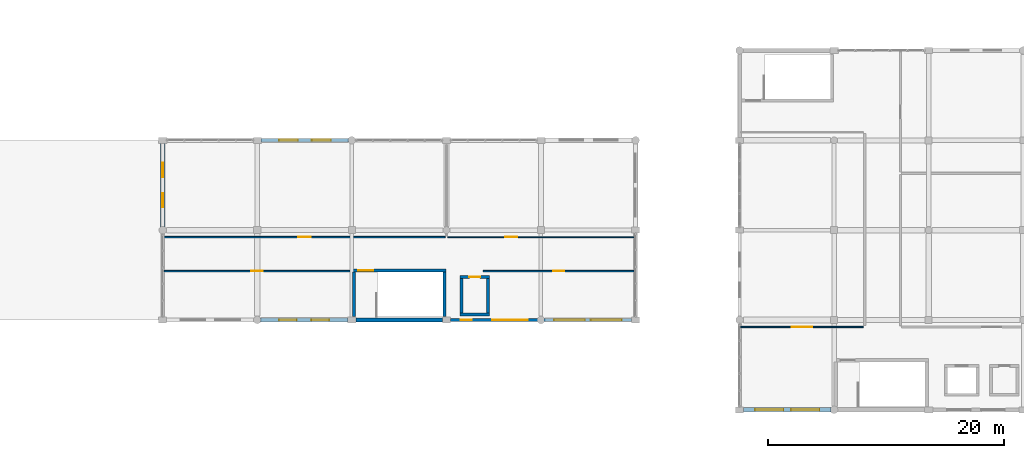
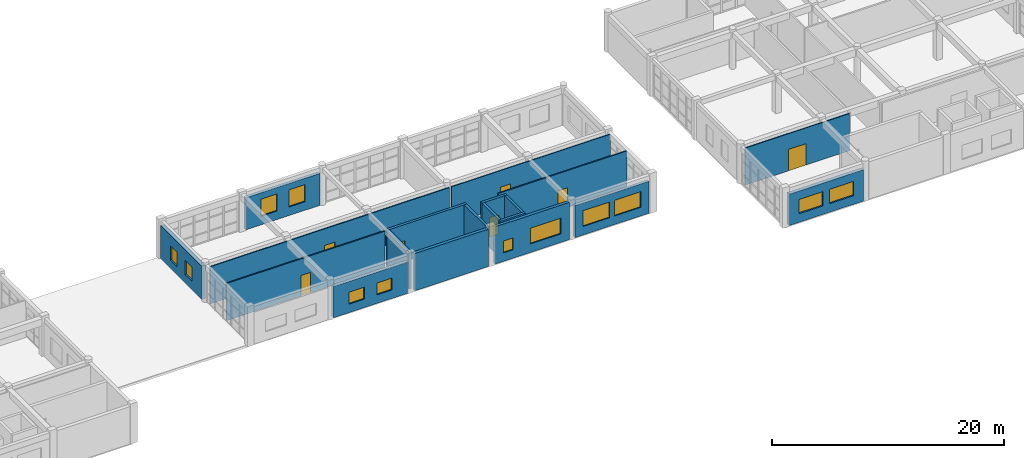
# One storey, part 104 of 121: 19 walls, 12 windows, 7 doors, 19 openings.
"""IFC4 building model written with IfcOpenShell, lengths in metres."""

from ifc_helpers import new_model, si_unit, direction, frame, frame_2d, origin, place, context, subcontext, project, spatial, rectangle, extrude, material, layer, layer_set, type_object, element, fill, save


model = new_model("IFC4")

# Units and contexts
model_context = context("Model", 3, precision=1e-05, world=origin(), true_north=direction((0.0, 1.0)))
body_context = subcontext(model_context, "Body", "Model", "MODEL_VIEW")
ifc_project = project(units=[si_unit("LENGTHUNIT", "METRE"), si_unit("AREAUNIT", "SQUARE_METRE"), si_unit("VOLUMEUNIT", "CUBIC_METRE"), si_unit("PLANEANGLEUNIT", "RADIAN"), si_unit("MASSUNIT", "GRAM", prefix="KILO")], contexts=[model_context])

# Site, building, storey
site_placement = place(None, origin())
site = spatial("IfcSite", under=ifc_project, at=site_placement, CompositionType="ELEMENT")
building_placement = place(site_placement, origin())
building = spatial("IfcBuilding", under=site, at=building_placement, Name="Kharva Crest Polytechnic", CompositionType="ELEMENT")
storey_placement = place(building_placement, frame((0.0, 0.0, 13.199951171875)))
storey = spatial("IfcBuildingStorey", under=building, at=storey_placement, Name="L03", CompositionType="ELEMENT", Elevation=13.199951171875)

# Wall, openings, windows
ifc_material_1 = material(Name="Kiln brick masonry", Category="masonry")
ifc_layer_1 = layer(ifc_material_1, 0.27490234375, Name="Kiln brick masonry")
ifc_layer_set_1 = layer_set([ifc_layer_1], Name="Kiln brick masonry")
wall_type_1 = type_object("IfcWallType", Name="WL-EXT-BRK-275", PredefinedType="SOLIDWALL", material=ifc_layer_set_1)
wall_1_placement = place(storey_placement, frame((104.268798828125, 7.60009765625, 0.0), z_axis=(0.0, 0.0, 1.0), x_axis=(1.0, 0.0, 0.0)))
wall_1 = element("IfcWall", 1, at=wall_1_placement, inside=storey, type_object=wall_type_1, Name="L03 Exterior Brick Wall 318", PredefinedType="SOLIDWALL", context=body_context, shape_type="SweptSolid", body=[
    extrude(rectangle(XDim=7.38623046875, YDim=0.27490234375, at=frame_2d((3.693115234375, 0.0))), origin(), (0.0, 0.0, 1.0), 3.360107421875),
])
opening_1_placement = place(wall_1_placement, frame((0.8349609375, 0.0, 0.89990234375)))
opening_1 = element("IfcOpeningElement", 2, at=opening_1_placement, cuts=wall_1, Name="Opening W24", PredefinedType="OPENING", context=body_context, shape_type="SweptSolid", body=[
    extrude(rectangle(XDim=2.60009765625, YDim=1.64990234375, at=frame_2d((1.300048828125, 0.824951171875))), frame((0.0, 0.1474609375, 0.0), z_axis=(0.0, -1.0, 0.0), x_axis=(1.0, 0.0, 0.0)), (0.0, 0.0, 1.0), 0.294921875),
])
opening_2_placement = place(wall_1_placement, frame((3.950927734375, 0.0, 0.89990234375)))
opening_2 = element("IfcOpeningElement", 3, at=opening_2_placement, cuts=wall_1, Name="Opening W24", PredefinedType="OPENING", context=body_context, shape_type="SweptSolid", body=[
    extrude(rectangle(XDim=2.60009765625, YDim=1.64990234375, at=frame_2d((1.300048828125, 0.824951171875))), frame((0.0, 0.1474609375, 0.0), z_axis=(0.0, -1.0, 0.0), x_axis=(1.0, 0.0, 0.0)), (0.0, 0.0, 1.0), 0.294921875),
])
ifc_material_2 = material(Name="Anodised aluminium", Category="aluminium")
window_type_1 = type_object("IfcWindowType", Name="WIN-ALU-2600X1650", PartitioningType="SINGLE_PANEL", PredefinedType="WINDOW", material=ifc_material_2)
window_1_placement = place(opening_1_placement, origin())
window_1 = element("IfcWindow", 4, at=window_1_placement, inside=storey, type_object=window_type_1, Name="L03 Exterior Window 428", OverallHeight=1.64990234375, OverallWidth=2.60009765625, PartitioningType="SINGLE_PANEL", PredefinedType="WINDOW", context=body_context, shape_type="SweptSolid", body=[
    extrude(rectangle(XDim=2.60009765625, YDim=1.64990234375, at=frame_2d((1.300048828125, 0.824951171875))), frame((0.0, 0.030029296875, 0.0), z_axis=(0.0, -1.0, 0.0), x_axis=(1.0, 0.0, 0.0)), (0.0, 0.0, 1.0), 0.06005859375),
])
fill(opening_1, window_1)
window_2_placement = place(opening_2_placement, origin())
window_2 = element("IfcWindow", 5, at=window_2_placement, inside=storey, type_object=window_type_1, Name="L03 Exterior Window 429", OverallHeight=1.64990234375, OverallWidth=2.60009765625, PartitioningType="SINGLE_PANEL", PredefinedType="WINDOW", context=body_context, shape_type="SweptSolid", body=[
    extrude(rectangle(XDim=2.60009765625, YDim=1.64990234375, at=frame_2d((1.300048828125, 0.824951171875))), frame((0.0, 0.030029296875, 0.0), z_axis=(0.0, -1.0, 0.0), x_axis=(1.0, 0.0, 0.0)), (0.0, 0.0, 1.0), 0.06005859375),
])
fill(opening_2, window_2)

ifc_layer_2 = layer(ifc_material_1, 0.2900390625, Name="Kiln brick masonry")
ifc_layer_set_2 = layer_set([ifc_layer_2], Name="Kiln brick masonry")
wall_type_2 = type_object("IfcWallType", Name="WL-EXT-BRK-290", PredefinedType="SOLIDWALL", material=ifc_layer_set_2)
wall_2_placement = place(storey_placement, frame((96.3349609375, 7.60009765625, 0.0), z_axis=(0.0, 0.0, 1.0), x_axis=(1.0, 0.0, 0.0)))
wall_2 = element("IfcWall", 6, at=wall_2_placement, inside=storey, type_object=wall_type_2, Name="L03 Exterior Brick Wall 317", PredefinedType="SOLIDWALL", context=body_context, shape_type="SweptSolid", body=[
    extrude(rectangle(XDim=7.396240234375, YDim=0.2900390625, at=frame_2d((3.6982421875, 0.0))), origin(), (0.0, 0.0, 1.0), 3.920166015625),
])
opening_3_placement = place(wall_2_placement, frame((0.85791015625, 0.0, 0.89990234375)))
opening_3 = element("IfcOpeningElement", 7, at=opening_3_placement, cuts=wall_2, Name="Opening W22", PredefinedType="OPENING", context=body_context, shape_type="SweptSolid", body=[
    extrude(rectangle(XDim=0.949951171875, YDim=1.25, at=frame_2d((0.47509765625, 0.625))), frame((0.0, 0.155029296875, 0.0), z_axis=(0.0, -1.0, 0.0), x_axis=(1.0, 0.0, 0.0)), (0.0, 0.0, 1.0), 0.31005859375),
])
opening_4_placement = place(wall_2_placement, frame((3.531005859375, 0.0, 0.89990234375)))
opening_4 = element("IfcOpeningElement", 8, at=opening_4_placement, cuts=wall_2, Name="Opening W23", PredefinedType="OPENING", context=body_context, shape_type="SweptSolid", body=[
    extrude(rectangle(XDim=3.0, YDim=1.64990234375, at=frame_2d((1.5, 0.824951171875))), frame((0.0, 0.155029296875, 0.0), z_axis=(0.0, -1.0, 0.0), x_axis=(1.0, 0.0, 0.0)), (0.0, 0.0, 1.0), 0.31005859375),
])
window_type_2 = type_object("IfcWindowType", Name="WIN-ALU-3000X1650", PartitioningType="SINGLE_PANEL", PredefinedType="WINDOW", material=ifc_material_2)
window_3_placement = place(opening_4_placement, origin())
window_3 = element("IfcWindow", 9, at=window_3_placement, inside=storey, type_object=window_type_2, Name="L03 Exterior Window 427", OverallHeight=1.64990234375, OverallWidth=3.0, PartitioningType="SINGLE_PANEL", PredefinedType="WINDOW", context=body_context, shape_type="SweptSolid", body=[
    extrude(rectangle(XDim=3.0, YDim=1.64990234375, at=frame_2d((1.5, 0.824951171875))), frame((0.0, 0.030029296875, 0.0), z_axis=(0.0, -1.0, 0.0), x_axis=(1.0, 0.0, 0.0)), (0.0, 0.0, 1.0), 0.06005859375),
])
fill(opening_4, window_3)
window_type_3 = type_object("IfcWindowType", Name="WIN-ALU-950X1250", PartitioningType="SINGLE_PANEL", PredefinedType="WINDOW", material=ifc_material_2)
window_4_placement = place(opening_3_placement, origin())
window_4 = element("IfcWindow", 10, at=window_4_placement, inside=storey, type_object=window_type_3, Name="L03 Exterior Window 426", OverallHeight=1.25, OverallWidth=0.949951171875, PartitioningType="SINGLE_PANEL", PredefinedType="WINDOW", context=body_context, shape_type="SweptSolid", body=[
    extrude(rectangle(XDim=0.949951171875, YDim=1.25, at=frame_2d((0.47509765625, 0.625))), frame((0.0, 0.030029296875, 0.0), z_axis=(0.0, -1.0, 0.0), x_axis=(1.0, 0.0, 0.0)), (0.0, 0.0, 1.0), 0.06005859375),
])
fill(opening_3, window_4)

# Wall
ifc_layer_3 = layer(ifc_material_1, 0.304931640625, Name="Kiln brick masonry")
ifc_layer_set_3 = layer_set([ifc_layer_3], Name="Kiln brick masonry")
wall_type_3 = type_object("IfcWallType", Name="WL-EXT-BRK-305", PredefinedType="SOLIDWALL", material=ifc_layer_set_3)
wall_3_placement = place(storey_placement, frame((88.344970703125, 7.60009765625, 0.0), z_axis=(0.0, 0.0, 1.0), x_axis=(1.0, 0.0, 0.0)))
element("IfcWall", 11, at=wall_3_placement, inside=storey, type_object=wall_type_3, Name="L03 Exterior Brick Wall 316", PredefinedType="SOLIDWALL", context=body_context, shape_type="SweptSolid", body=[
    extrude(rectangle(XDim=7.320068359375, YDim=0.304931640625, at=frame_2d((3.66015625, 0.0))), origin(), (0.0, 0.0, 1.0), 3.920166015625),
])

# Wall, openings, windows
ifc_layer_4 = layer(ifc_material_1, 0.320068359375, Name="Kiln brick masonry")
ifc_layer_set_4 = layer_set([ifc_layer_4], Name="Kiln brick masonry")
wall_type_4 = type_object("IfcWallType", Name="WL-EXT-BRK-320", PredefinedType="SOLIDWALL", material=ifc_layer_set_4)
wall_4_placement = place(storey_placement, frame((80.268798828125, 7.60009765625, 0.0), z_axis=(0.0, 0.0, 1.0), x_axis=(1.0, 0.0, 0.0)))
wall_4 = element("IfcWall", 12, at=wall_4_placement, inside=storey, type_object=wall_type_4, Name="L03 Exterior Brick Wall 315", PredefinedType="SOLIDWALL", context=body_context, shape_type="SweptSolid", body=[
    extrude(rectangle(XDim=7.38623046875, YDim=0.320068359375, at=frame_2d((3.693115234375, 0.0))), origin(), (0.0, 0.0, 1.0), 3.280029296875),
])
opening_5_placement = place(wall_4_placement, frame((1.569091796875, 0.0, 0.89990234375)))
opening_5 = element("IfcOpeningElement", 13, at=opening_5_placement, cuts=wall_4, Name="Opening W20", PredefinedType="OPENING", context=body_context, shape_type="SweptSolid", body=[
    extrude(rectangle(XDim=1.5, YDim=1.25, at=frame_2d((0.75, 0.625))), frame((0.0, 0.169921875, 0.0), z_axis=(0.0, -1.0, 0.0), x_axis=(1.0, 0.0, 0.0)), (0.0, 0.0, 1.0), 0.340087890625),
])
opening_6_placement = place(wall_4_placement, frame((4.31689453125, 0.0, 0.89990234375)))
opening_6 = element("IfcOpeningElement", 14, at=opening_6_placement, cuts=wall_4, Name="Opening W20", PredefinedType="OPENING", context=body_context, shape_type="SweptSolid", body=[
    extrude(rectangle(XDim=1.5, YDim=1.25, at=frame_2d((0.75, 0.625))), frame((0.0, 0.169921875, 0.0), z_axis=(0.0, -1.0, 0.0), x_axis=(1.0, 0.0, 0.0)), (0.0, 0.0, 1.0), 0.340087890625),
])
window_type_4 = type_object("IfcWindowType", Name="WIN-ALU-1500X1250", PartitioningType="SINGLE_PANEL", PredefinedType="WINDOW", material=ifc_material_2)
window_5_placement = place(opening_5_placement, origin())
window_5 = element("IfcWindow", 15, at=window_5_placement, inside=storey, type_object=window_type_4, Name="L03 Exterior Window 424", OverallHeight=1.25, OverallWidth=1.5, PartitioningType="SINGLE_PANEL", PredefinedType="WINDOW", context=body_context, shape_type="SweptSolid", body=[
    extrude(rectangle(XDim=1.5, YDim=1.25, at=frame_2d((0.75, 0.625))), frame((0.0, 0.030029296875, 0.0), z_axis=(0.0, -1.0, 0.0), x_axis=(1.0, 0.0, 0.0)), (0.0, 0.0, 1.0), 0.06005859375),
])
fill(opening_5, window_5)
window_6_placement = place(opening_6_placement, origin())
window_6 = element("IfcWindow", 16, at=window_6_placement, inside=storey, type_object=window_type_4, Name="L03 Exterior Window 425", OverallHeight=1.25, OverallWidth=1.5, PartitioningType="SINGLE_PANEL", PredefinedType="WINDOW", context=body_context, shape_type="SweptSolid", body=[
    extrude(rectangle(XDim=1.5, YDim=1.25, at=frame_2d((0.75, 0.625))), frame((0.0, 0.030029296875, 0.0), z_axis=(0.0, -1.0, 0.0), x_axis=(1.0, 0.0, 0.0)), (0.0, 0.0, 1.0), 0.06005859375),
])
fill(opening_6, window_6)

wall_5_placement = place(storey_placement, frame((87.731201171875, 22.800048828125, 0.0), z_axis=(0.0, 0.0, 1.0), x_axis=(-1.0, 0.0, 0.0)))
wall_5 = element("IfcWall", 17, at=wall_5_placement, inside=storey, type_object=wall_type_4, Name="L03 Exterior Brick Wall 321", PredefinedType="SOLIDWALL", context=body_context, shape_type="SweptSolid", body=[
    extrude(rectangle(XDim=7.396240234375, YDim=0.320068359375, at=frame_2d((3.6982421875, 0.0))), origin(), (0.0, 0.0, 1.0), 3.360107421875),
])
opening_7_placement = place(wall_5_placement, frame((1.5048828125, 0.0, 0.89990234375)))
opening_7 = element("IfcOpeningElement", 18, at=opening_7_placement, cuts=wall_5, Name="Opening W06", PredefinedType="OPENING", context=body_context, shape_type="SweptSolid", body=[
    extrude(rectangle(XDim=1.60009765625, YDim=1.800048828125, at=frame_2d((0.800048828125, 0.89990234375))), frame((0.0, 0.169921875, 0.0), z_axis=(0.0, -1.0, 0.0), x_axis=(1.0, 0.0, 0.0)), (0.0, 0.0, 1.0), 0.340087890625),
])
opening_8_placement = place(wall_5_placement, frame((4.291015625, 0.0, 0.89990234375)))
opening_8 = element("IfcOpeningElement", 19, at=opening_8_placement, cuts=wall_5, Name="Opening W06", PredefinedType="OPENING", context=body_context, shape_type="SweptSolid", body=[
    extrude(rectangle(XDim=1.60009765625, YDim=1.800048828125, at=frame_2d((0.800048828125, 0.89990234375))), frame((0.0, 0.169921875, 0.0), z_axis=(0.0, -1.0, 0.0), x_axis=(1.0, 0.0, 0.0)), (0.0, 0.0, 1.0), 0.340087890625),
])
window_type_5 = type_object("IfcWindowType", Name="WIN-ALU-1600X1800", PartitioningType="SINGLE_PANEL", PredefinedType="WINDOW", material=ifc_material_2)
window_7_placement = place(opening_7_placement, origin())
window_7 = element("IfcWindow", 20, at=window_7_placement, inside=storey, type_object=window_type_5, Name="L03 Exterior Window 434", OverallHeight=1.800048828125, OverallWidth=1.60009765625, PartitioningType="SINGLE_PANEL", PredefinedType="WINDOW", context=body_context, shape_type="SweptSolid", body=[
    extrude(rectangle(XDim=1.60009765625, YDim=1.800048828125, at=frame_2d((0.800048828125, 0.89990234375))), frame((0.0, 0.030029296875, 0.0), z_axis=(0.0, -1.0, 0.0), x_axis=(1.0, 0.0, 0.0)), (0.0, 0.0, 1.0), 0.06005859375),
])
fill(opening_7, window_7)
window_8_placement = place(opening_8_placement, origin())
window_8 = element("IfcWindow", 21, at=window_8_placement, inside=storey, type_object=window_type_5, Name="L03 Exterior Window 435", OverallHeight=1.800048828125, OverallWidth=1.60009765625, PartitioningType="SINGLE_PANEL", PredefinedType="WINDOW", context=body_context, shape_type="SweptSolid", body=[
    extrude(rectangle(XDim=1.60009765625, YDim=1.800048828125, at=frame_2d((0.800048828125, 0.89990234375))), frame((0.0, 0.030029296875, 0.0), z_axis=(0.0, -1.0, 0.0), x_axis=(1.0, 0.0, 0.0)), (0.0, 0.0, 1.0), 0.06005859375),
])
fill(opening_8, window_8)

ifc_layer_5 = layer(ifc_material_1, 0.364990234375, Name="Kiln brick masonry")
ifc_layer_set_5 = layer_set([ifc_layer_5], Name="Kiln brick masonry")
wall_type_5 = type_object("IfcWallType", Name="WL-EXT-BRK-365", PredefinedType="SOLIDWALL", material=ifc_layer_set_5)
wall_6_placement = place(storey_placement, frame((72.0, 22.554931640625, 0.0), z_axis=(0.0, 0.0, 1.0), x_axis=(0.0, -1.0, 0.0)))
wall_6 = element("IfcWall", 22, at=wall_6_placement, inside=storey, type_object=wall_type_5, Name="L03 Exterior Brick Wall 313", PredefinedType="SOLIDWALL", context=body_context, shape_type="SweptSolid", body=[
    extrude(rectangle(XDim=7.086181640625, YDim=0.364990234375, at=frame_2d((3.54296875, 0.0))), origin(), (0.0, 0.0, 1.0), 3.5),
])
opening_9_placement = place(wall_6_placement, frame((1.6689453125, 0.0, 0.89990234375)))
opening_9 = element("IfcOpeningElement", 23, at=opening_9_placement, cuts=wall_6, Name="Opening W16", PredefinedType="OPENING", context=body_context, shape_type="SweptSolid", body=[
    extrude(rectangle(XDim=1.199951171875, YDim=1.5, at=frame_2d((0.60009765625, 0.75))), frame((0.0, 0.1923828125, 0.0), z_axis=(0.0, -1.0, 0.0), x_axis=(1.0, 0.0, 0.0)), (0.0, 0.0, 1.0), 0.385009765625),
])
opening_10_placement = place(wall_6_placement, frame((4.217041015625, 0.0, 0.89990234375)))
opening_10 = element("IfcOpeningElement", 24, at=opening_10_placement, cuts=wall_6, Name="Opening W16", PredefinedType="OPENING", context=body_context, shape_type="SweptSolid", body=[
    extrude(rectangle(XDim=1.199951171875, YDim=1.5, at=frame_2d((0.60009765625, 0.75))), frame((0.0, 0.1923828125, 0.0), z_axis=(0.0, -1.0, 0.0), x_axis=(1.0, 0.0, 0.0)), (0.0, 0.0, 1.0), 0.385009765625),
])
window_type_6 = type_object("IfcWindowType", Name="WIN-ALU-1200X1500", PartitioningType="SINGLE_PANEL", PredefinedType="WINDOW", material=ifc_material_2)
window_9_placement = place(opening_9_placement, origin())
window_9 = element("IfcWindow", 25, at=window_9_placement, inside=storey, type_object=window_type_6, Name="L03 Exterior Window 420", OverallHeight=1.5, OverallWidth=1.199951171875, PartitioningType="SINGLE_PANEL", PredefinedType="WINDOW", context=body_context, shape_type="SweptSolid", body=[
    extrude(rectangle(XDim=1.199951171875, YDim=1.5, at=frame_2d((0.60009765625, 0.75))), frame((0.0, 0.030029296875, 0.0), z_axis=(0.0, -1.0, 0.0), x_axis=(1.0, 0.0, 0.0)), (0.0, 0.0, 1.0), 0.06005859375),
])
fill(opening_9, window_9)
window_10_placement = place(opening_10_placement, origin())
window_10 = element("IfcWindow", 26, at=window_10_placement, inside=storey, type_object=window_type_6, Name="L03 Exterior Window 421", OverallHeight=1.5, OverallWidth=1.199951171875, PartitioningType="SINGLE_PANEL", PredefinedType="WINDOW", context=body_context, shape_type="SweptSolid", body=[
    extrude(rectangle(XDim=1.199951171875, YDim=1.5, at=frame_2d((0.60009765625, 0.75))), frame((0.0, 0.030029296875, 0.0), z_axis=(0.0, -1.0, 0.0), x_axis=(1.0, 0.0, 0.0)), (0.0, 0.0, 1.0), 0.06005859375),
])
fill(opening_10, window_10)

wall_7_placement = place(storey_placement, frame((121.135009765625, 0.0, 0.0), z_axis=(0.0, 0.0, 1.0), x_axis=(1.0, 0.0, 0.0)))
wall_7 = element("IfcWall", 27, at=wall_7_placement, inside=storey, type_object=wall_type_5, Name="L03 Exterior Brick Wall 324", PredefinedType="SOLIDWALL", context=body_context, shape_type="SweptSolid", body=[
    extrude(rectangle(XDim=7.396240234375, YDim=0.364990234375, at=frame_2d((3.6982421875, 0.0))), origin(), (0.0, 0.0, 1.0), 3.280029296875),
])
opening_11_placement = place(wall_7_placement, frame((0.971923828125, 0.0, 0.89990234375)))
opening_11 = element("IfcOpeningElement", 28, at=opening_11_placement, cuts=wall_7, Name="Opening W10", PredefinedType="OPENING", context=body_context, shape_type="SweptSolid", body=[
    extrude(rectangle(XDim=2.39990234375, YDim=1.5, at=frame_2d((1.199951171875, 0.75))), frame((0.0, 0.1923828125, 0.0), z_axis=(0.0, -1.0, 0.0), x_axis=(1.0, 0.0, 0.0)), (0.0, 0.0, 1.0), 0.385009765625),
])
opening_12_placement = place(wall_7_placement, frame((4.02392578125, 0.0, 0.89990234375)))
opening_12 = element("IfcOpeningElement", 29, at=opening_12_placement, cuts=wall_7, Name="Opening W10", PredefinedType="OPENING", context=body_context, shape_type="SweptSolid", body=[
    extrude(rectangle(XDim=2.39990234375, YDim=1.5, at=frame_2d((1.199951171875, 0.75))), frame((0.0, 0.1923828125, 0.0), z_axis=(0.0, -1.0, 0.0), x_axis=(1.0, 0.0, 0.0)), (0.0, 0.0, 1.0), 0.385009765625),
])
window_type_7 = type_object("IfcWindowType", Name="WIN-ALU-2400X1500", PartitioningType="SINGLE_PANEL", PredefinedType="WINDOW", material=ifc_material_2)
window_11_placement = place(opening_11_placement, origin())
window_11 = element("IfcWindow", 30, at=window_11_placement, inside=storey, type_object=window_type_7, Name="L03 Exterior Window 438", OverallHeight=1.5, OverallWidth=2.39990234375, PartitioningType="SINGLE_PANEL", PredefinedType="WINDOW", context=body_context, shape_type="SweptSolid", body=[
    extrude(rectangle(XDim=2.39990234375, YDim=1.5, at=frame_2d((1.199951171875, 0.75))), frame((0.0, 0.030029296875, 0.0), z_axis=(0.0, -1.0, 0.0), x_axis=(1.0, 0.0, 0.0)), (0.0, 0.0, 1.0), 0.06005859375),
])
fill(opening_11, window_11)
window_12_placement = place(opening_12_placement, origin())
window_12 = element("IfcWindow", 31, at=window_12_placement, inside=storey, type_object=window_type_7, Name="L03 Exterior Window 439", OverallHeight=1.5, OverallWidth=2.39990234375, PartitioningType="SINGLE_PANEL", PredefinedType="WINDOW", context=body_context, shape_type="SweptSolid", body=[
    extrude(rectangle(XDim=2.39990234375, YDim=1.5, at=frame_2d((1.199951171875, 0.75))), frame((0.0, 0.030029296875, 0.0), z_axis=(0.0, -1.0, 0.0), x_axis=(1.0, 0.0, 0.0)), (0.0, 0.0, 1.0), 0.06005859375),
])
fill(opening_12, window_12)

# Wall, opening, door
ifc_layer_6 = layer(ifc_material_1, 0.090087890625, Name="Kiln brick masonry")
ifc_layer_set_6 = layer_set([ifc_layer_6], Name="Kiln brick masonry")
wall_type_6 = type_object("IfcWallType", Name="WL-PART-090", PredefinedType="PARTITIONING", material=ifc_layer_set_6)
wall_8_placement = place(storey_placement, frame((96.1201171875, 14.610107421875, 0.0), z_axis=(0.0, 0.0, 1.0), x_axis=(1.0, 0.0, 0.0)))
wall_8 = element("IfcWall", 32, at=wall_8_placement, inside=storey, type_object=wall_type_6, Name="L03 Interior Partition 309", PredefinedType="PARTITIONING", context=body_context, shape_type="SweptSolid", body=[
    extrude(rectangle(XDim=15.769775390625, YDim=0.090087890625, at=frame_2d((7.884765625, 0.0))), origin(), (0.0, 0.0, 1.0), 3.900146484375),
])
opening_13_placement = place(wall_8_placement, frame((4.862060546875, 0.0, 0.0)))
opening_13 = element("IfcOpeningElement", 33, at=opening_13_placement, cuts=wall_8, Name="Opening ID12", PredefinedType="OPENING", context=body_context, shape_type="SweptSolid", body=[
    extrude(rectangle(XDim=1.0, YDim=2.14990234375, at=frame_2d((0.5, 1.074951171875))), frame((0.0, 0.054931640625, 0.0), z_axis=(0.0, -1.0, 0.0), x_axis=(1.0, 0.0, 0.0)), (0.0, 0.0, 1.0), 0.110107421875),
])
ifc_material_3 = material(Name="Teak timber", Category="wood")
door_type_1 = type_object("IfcDoorType", Name="DR-OFF-1000X2150", OperationType="NOTDEFINED", PredefinedType="DOOR", material=ifc_material_3)
door_1_placement = place(opening_13_placement, origin())
door_1 = element("IfcDoor", 34, at=door_1_placement, inside=storey, type_object=door_type_1, Name="L03 Dean and Rectorate Office Door", OperationType="SINGLE_SWING_RIGHT", OverallHeight=2.14990234375, OverallWidth=1.0, PredefinedType="DOOR", context=body_context, shape_type="SweptSolid", body=[
    extrude(rectangle(XDim=1.0, YDim=2.14990234375, at=frame_2d((0.5, 1.074951171875))), frame((0.0, 0.02490234375, 0.0), z_axis=(0.0, -1.0, 0.0), x_axis=(1.0, 0.0, 0.0)), (0.0, 0.0, 1.0), 0.050048828125),
])
fill(opening_13, door_1)

ifc_layer_7 = layer(ifc_material_1, 0.10009765625, Name="Kiln brick masonry")
ifc_layer_set_7 = layer_set([ifc_layer_7], Name="Kiln brick masonry")
wall_type_7 = type_object("IfcWallType", Name="WL-PART-100", PredefinedType="PARTITIONING", material=ifc_layer_set_7)
wall_9_placement = place(storey_placement, frame((120.909912109375, 7.010009765625, 0.0), z_axis=(0.0, 0.0, 1.0), x_axis=(1.0, 0.0, 0.0)))
wall_9 = element("IfcWall", 35, at=wall_9_placement, inside=storey, type_object=wall_type_7, Name="L03 Interior Partition 298", PredefinedType="PARTITIONING", context=body_context, shape_type="SweptSolid", body=[
    extrude(rectangle(XDim=10.3701171875, YDim=0.10009765625, at=frame_2d((5.18505859375, 0.0))), origin(), (0.0, 0.0, 1.0), 3.900146484375),
])
opening_14_placement = place(wall_9_placement, frame((4.31005859375, 0.0, 0.0)))
opening_14 = element("IfcOpeningElement", 36, at=opening_14_placement, cuts=wall_9, Name="Opening ID5", PredefinedType="OPENING", context=body_context, shape_type="SweptSolid", body=[
    extrude(rectangle(XDim=1.75, YDim=2.25, at=frame_2d((0.875, 1.125))), frame((0.0, 0.06005859375, 0.0), z_axis=(0.0, -1.0, 0.0), x_axis=(1.0, 0.0, 0.0)), (0.0, 0.0, 1.0), 0.1201171875),
])
door_type_2 = type_object("IfcDoorType", Name="DR-LIB-DBL-1750X2250", OperationType="NOTDEFINED", PredefinedType="DOOR", material=ifc_material_3)
door_2_placement = place(opening_14_placement, origin())
door_2 = element("IfcDoor", 37, at=door_2_placement, inside=storey, type_object=door_type_2, Name="L03 Student Union Study Commons L03 Door", OperationType="DOUBLE_DOOR_SINGLE_SWING", OverallHeight=2.25, OverallWidth=1.75, PredefinedType="DOOR", context=body_context, shape_type="SweptSolid", body=[
    extrude(rectangle(XDim=1.75, YDim=2.25, at=frame_2d((0.875, 1.125))), frame((0.0, 0.02490234375, 0.0), z_axis=(0.0, -1.0, 0.0), x_axis=(1.0, 0.0, 0.0)), (0.0, 0.0, 1.0), 0.050048828125),
])
fill(opening_14, door_2)

ifc_layer_8 = layer(ifc_material_1, 0.110107421875, Name="Kiln brick masonry")
ifc_layer_set_8 = layer_set([ifc_layer_8], Name="Kiln brick masonry")
wall_type_8 = type_object("IfcWallType", Name="WL-PART-110", PredefinedType="PARTITIONING", material=ifc_layer_set_8)
wall_10_placement = place(storey_placement, frame((72.110107421875, 14.610107421875, 0.0), z_axis=(0.0, 0.0, 1.0), x_axis=(1.0, 0.0, 0.0)))
wall_10 = element("IfcWall", 38, at=wall_10_placement, inside=storey, type_object=wall_type_8, Name="L03 Interior Partition 307", PredefinedType="PARTITIONING", context=body_context, shape_type="SweptSolid", body=[
    extrude(rectangle(XDim=23.77978515625, YDim=0.110107421875, at=frame_2d((11.889892578125, 0.0))), origin(), (0.0, 0.0, 1.0), 3.900146484375),
])
opening_15_placement = place(wall_10_placement, frame((11.3701171875, 0.0, 0.0)))
opening_15 = element("IfcOpeningElement", 39, at=opening_15_placement, cuts=wall_10, Name="Opening ID11", PredefinedType="OPENING", context=body_context, shape_type="SweptSolid", body=[
    extrude(rectangle(XDim=1.0400390625, YDim=2.14990234375, at=frame_2d((0.52001953125, 1.074951171875))), frame((0.0, 0.06494140625, 0.0), z_axis=(0.0, -1.0, 0.0), x_axis=(1.0, 0.0, 0.0)), (0.0, 0.0, 1.0), 0.130126953125),
])
door_type_3 = type_object("IfcDoorType", Name="DR-CLS-1040X2150", OperationType="NOTDEFINED", PredefinedType="DOOR", material=ifc_material_3)
door_3_placement = place(opening_15_placement, origin())
door_3 = element("IfcDoor", 40, at=door_3_placement, inside=storey, type_object=door_type_3, Name="L03 Academic Senate Seminar Room Door", OperationType="SINGLE_SWING_LEFT", OverallHeight=2.14990234375, OverallWidth=1.0400390625, PredefinedType="DOOR", context=body_context, shape_type="SweptSolid", body=[
    extrude(rectangle(XDim=1.0400390625, YDim=2.14990234375, at=frame_2d((0.52001953125, 1.074951171875))), frame((0.0, 0.02490234375, 0.0), z_axis=(0.0, -1.0, 0.0), x_axis=(1.0, 0.0, 0.0)), (0.0, 0.0, 1.0), 0.050048828125),
])
fill(opening_15, door_3)

ifc_layer_9 = layer(ifc_material_1, 0.1201171875, Name="Kiln brick masonry")
ifc_layer_set_9 = layer_set([ifc_layer_9], Name="Kiln brick masonry")
wall_type_9 = type_object("IfcWallType", Name="WL-PART-120", PredefinedType="PARTITIONING", material=ifc_layer_set_9)
wall_11_placement = place(storey_placement, frame((99.110107421875, 11.739990234375, 0.0), z_axis=(0.0, 0.0, 1.0), x_axis=(1.0, 0.0, 0.0)))
wall_11 = element("IfcWall", 41, at=wall_11_placement, inside=storey, type_object=wall_type_9, Name="L03 Interior Partition 306", PredefinedType="PARTITIONING", context=body_context, shape_type="SweptSolid", body=[
    extrude(rectangle(XDim=12.77978515625, YDim=0.1201171875, at=frame_2d((6.389892578125, 0.0))), origin(), (0.0, 0.0, 1.0), 3.900146484375),
])
opening_16_placement = place(wall_11_placement, frame((5.9150390625, 0.0, 0.0)))
opening_16 = element("IfcOpeningElement", 42, at=opening_16_placement, cuts=wall_11, Name="Opening ID14", PredefinedType="OPENING", context=body_context, shape_type="SweptSolid", body=[
    extrude(rectangle(XDim=0.949951171875, YDim=2.10009765625, at=frame_2d((0.47509765625, 1.050048828125))), frame((0.0, 0.070068359375, 0.0), z_axis=(0.0, -1.0, 0.0), x_axis=(1.0, 0.0, 0.0)), (0.0, 0.0, 1.0), 0.14013671875),
])
door_type_4 = type_object("IfcDoorType", Name="DR-WC-950X2100", OperationType="NOTDEFINED", PredefinedType="DOOR", material=ifc_material_3)
door_4_placement = place(opening_16_placement, origin())
door_4 = element("IfcDoor", 43, at=door_4_placement, inside=storey, type_object=door_type_4, Name="L03 Senate Accessible WC Door", OperationType="SINGLE_SWING_RIGHT", OverallHeight=2.10009765625, OverallWidth=0.949951171875, PredefinedType="DOOR", context=body_context, shape_type="SweptSolid", body=[
    extrude(rectangle(XDim=0.949951171875, YDim=2.10009765625, at=frame_2d((0.47509765625, 1.050048828125))), frame((0.0, 0.02490234375, 0.0), z_axis=(0.0, -1.0, 0.0), x_axis=(1.0, 0.0, 0.0)), (0.0, 0.0, 1.0), 0.050048828125),
])
fill(opening_16, door_4)

ifc_layer_10 = layer(ifc_material_1, 0.1298828125, Name="Kiln brick masonry")
ifc_layer_set_10 = layer_set([ifc_layer_10], Name="Kiln brick masonry")
wall_type_10 = type_object("IfcWallType", Name="WL-PART-130", PredefinedType="PARTITIONING", material=ifc_layer_set_10)
wall_12_placement = place(storey_placement, frame((72.110107421875, 11.739990234375, 0.0), z_axis=(0.0, 0.0, 1.0), x_axis=(1.0, 0.0, 0.0)))
wall_12 = element("IfcWall", 44, at=wall_12_placement, inside=storey, type_object=wall_type_10, Name="L03 Interior Partition 305", PredefinedType="PARTITIONING", context=body_context, shape_type="SweptSolid", body=[
    extrude(rectangle(XDim=15.72998046875, YDim=0.1298828125, at=frame_2d((7.864990234375, 0.0))), origin(), (0.0, 0.0, 1.0), 3.900146484375),
])
opening_17_placement = place(wall_12_placement, frame((7.385009765625, 0.0, 0.0)))
opening_17 = element("IfcOpeningElement", 45, at=opening_17_placement, cuts=wall_12, Name="Opening ID13", PredefinedType="OPENING", context=body_context, shape_type="SweptSolid", body=[
    extrude(rectangle(XDim=0.9599609375, YDim=2.14990234375, at=frame_2d((0.47998046875, 1.074951171875))), frame((0.0, 0.074951171875, 0.0), z_axis=(0.0, -1.0, 0.0), x_axis=(1.0, 0.0, 0.0)), (0.0, 0.0, 1.0), 0.14990234375),
])
door_type_5 = type_object("IfcDoorType", Name="DR-OFF-960X2150", OperationType="NOTDEFINED", PredefinedType="DOOR", material=ifc_material_3)
door_5_placement = place(opening_17_placement, origin())
door_5 = element("IfcDoor", 46, at=door_5_placement, inside=storey, type_object=door_type_5, Name="L03 Senate Committee Office Door", OperationType="SINGLE_SWING_LEFT", OverallHeight=2.14990234375, OverallWidth=0.9599609375, PredefinedType="DOOR", context=body_context, shape_type="SweptSolid", body=[
    extrude(rectangle(XDim=0.9599609375, YDim=2.14990234375, at=frame_2d((0.47998046875, 1.074951171875))), frame((0.0, 0.02490234375, 0.0), z_axis=(0.0, -1.0, 0.0), x_axis=(1.0, 0.0, 0.0)), (0.0, 0.0, 1.0), 0.050048828125),
])
fill(opening_17, door_5)

ifc_material_4 = material(Name="Concrete C40/50", Category="concrete")
ifc_layer_11 = layer(ifc_material_4, 0.25, Name="Concrete C40/50")
ifc_layer_set_11 = layer_set([ifc_layer_11], Name="Concrete C40/50")
wall_type_11 = type_object("IfcWallType", Name="WL-SHEAR-SW1-250", PredefinedType="SHEAR", material=ifc_layer_set_11)
wall_13_placement = place(storey_placement, frame((88.050048828125, 11.784912109375, 0.0), z_axis=(0.0, 0.0, 1.0), x_axis=(1.0, 0.0, 0.0)))
wall_13 = element("IfcWall", 47, at=wall_13_placement, inside=storey, type_object=wall_type_11, Name="L03 South Entrance Wing Stair C8 North Shear Wall", PredefinedType="SHEAR", context=body_context, shape_type="SweptSolid", body=[
    extrude(rectangle(XDim=7.89990234375, YDim=0.25, at=frame_2d((3.949951171875, 0.0))), origin(), (0.0, 0.0, 1.0), 3.920166015625),
])
opening_18_placement = place(wall_13_placement, frame((0.5, 0.0, 0.0)))
opening_18 = element("IfcOpeningElement", 48, at=opening_18_placement, cuts=wall_13, Name="Opening FD1B", PredefinedType="OPENING", context=body_context, shape_type="SweptSolid", body=[
    extrude(rectangle(XDim=1.25, YDim=2.199951171875, at=frame_2d((0.625, 1.10009765625))), frame((0.0, 0.135009765625, 0.0), z_axis=(0.0, -1.0, 0.0), x_axis=(1.0, 0.0, 0.0)), (0.0, 0.0, 1.0), 0.27001953125),
])
door_type_6 = type_object("IfcDoorType", Name="DR-STAIR-1250X2200", OperationType="NOTDEFINED", PredefinedType="DOOR", material=ifc_material_3)
door_6_placement = place(opening_18_placement, origin())
door_6 = element("IfcDoor", 49, at=door_6_placement, inside=storey, type_object=door_type_6, Name="L03 ST-08 Stair Door", OperationType="SINGLE_SWING_RIGHT", OverallHeight=2.199951171875, OverallWidth=1.25, PredefinedType="DOOR", context=body_context, shape_type="SweptSolid", body=[
    extrude(rectangle(XDim=1.25, YDim=2.199951171875, at=frame_2d((0.625, 1.10009765625))), frame((0.0, 0.02490234375, 0.0), z_axis=(0.0, -1.0, 0.0), x_axis=(1.0, 0.0, 0.0)), (0.0, 0.0, 1.0), 0.050048828125),
])
fill(opening_18, door_6)

# Walls
for number, where, z_axis, x_axis, name in (
    (50, (88.175048828125, 7.89990234375, 0.0), (0.0, 0.0, 1.0), (0.0, 1.0, 0.0), "L03 South Entrance Wing Stair C8 West Shear Wall"),
    (51, (95.824951171875, 7.89990234375, 0.0), (0.0, 0.0, 1.0), (0.0, 1.0, 0.0), "L03 South Entrance Wing Stair C8 East Shear Wall"),
):
    element("IfcWall", number, at=place(storey_placement, frame(where, z_axis=z_axis, x_axis=x_axis)), inside=storey, type_object=wall_type_11, Name=name, PredefinedType="SHEAR", context=body_context, shape_type="SweptSolid", body=[
        extrude(rectangle(XDim=3.760009765625, YDim=0.25, at=frame_2d((1.8798828125, 0.0))), origin(), (0.0, 0.0, 1.0), 3.920166015625),
    ])
wall_14_placement = place(storey_placement, frame((97.14990234375, 8.074951171875, 0.0), z_axis=(0.0, 0.0, 1.0), x_axis=(1.0, 0.0, 0.0)))
element("IfcWall", 52, at=wall_14_placement, inside=storey, type_object=wall_type_11, Name="L03 Core C8 Riser South Wall", PredefinedType="SHEAR", context=body_context, shape_type="SweptSolid", body=[
    extrude(rectangle(XDim=2.5, YDim=0.25, at=frame_2d((1.25, 0.0))), origin(), (0.0, 0.0, 1.0), 3.920166015625),
])

# Wall, opening, door
wall_15_placement = place(storey_placement, frame((97.14990234375, 11.22509765625, 0.0), z_axis=(0.0, 0.0, 1.0), x_axis=(1.0, 0.0, 0.0)))
wall_15 = element("IfcWall", 53, at=wall_15_placement, inside=storey, type_object=wall_type_11, Name="L03 Core C8 Riser North Wall", PredefinedType="SHEAR", context=body_context, shape_type="SweptSolid", body=[
    extrude(rectangle(XDim=2.5, YDim=0.25, at=frame_2d((1.25, 0.0))), origin(), (0.0, 0.0, 1.0), 3.920166015625),
])
opening_19_placement = place(wall_15_placement, frame((0.800048828125, 0.0, 0.0)))
opening_19 = element("IfcOpeningElement", 54, at=opening_19_placement, cuts=wall_15, Name="Opening FD3", PredefinedType="OPENING", context=body_context, shape_type="SweptSolid", body=[
    extrude(rectangle(XDim=0.89990234375, YDim=2.050048828125, at=frame_2d((0.449951171875, 1.02490234375))), frame((0.0, 0.135009765625, 0.0), z_axis=(0.0, -1.0, 0.0), x_axis=(1.0, 0.0, 0.0)), (0.0, 0.0, 1.0), 0.27001953125),
])
door_type_7 = type_object("IfcDoorType", Name="DR-RISER-900X2050", OperationType="NOTDEFINED", PredefinedType="DOOR", material=ifc_material_2)
door_7_placement = place(opening_19_placement, origin())
door_7 = element("IfcDoor", 55, at=door_7_placement, inside=storey, type_object=door_type_7, Name="L03 Core C8 Riser Access Door", OperationType="SINGLE_SWING_LEFT", OverallHeight=2.050048828125, OverallWidth=0.89990234375, PredefinedType="DOOR", context=body_context, shape_type="SweptSolid", body=[
    extrude(rectangle(XDim=0.89990234375, YDim=2.050048828125, at=frame_2d((0.449951171875, 1.02490234375))), frame((0.0, 0.02490234375, 0.0), z_axis=(0.0, -1.0, 0.0), x_axis=(1.0, 0.0, 0.0)), (0.0, 0.0, 1.0), 0.050048828125),
])
fill(opening_19, door_7)

# Walls
for number, where, z_axis, x_axis, name in (
    (56, (97.27490234375, 8.199951171875, 0.0), (0.0, 0.0, 1.0), (0.0, 1.0, 0.0), "L03 Core C8 Riser West Wall"),
    (57, (99.52490234375, 8.199951171875, 0.0), (0.0, 0.0, 1.0), (0.0, 1.0, 0.0), "L03 Core C8 Riser East Wall"),
):
    element("IfcWall", number, at=place(storey_placement, frame(where, z_axis=z_axis, x_axis=x_axis)), inside=storey, type_object=wall_type_11, Name=name, PredefinedType="SHEAR", context=body_context, shape_type="SweptSolid", body=[
        extrude(rectangle(XDim=2.900146484375, YDim=0.25, at=frame_2d((1.4501953125, 0.0))), origin(), (0.0, 0.0, 1.0), 3.920166015625),
    ])

save(model, "model.ifc")
